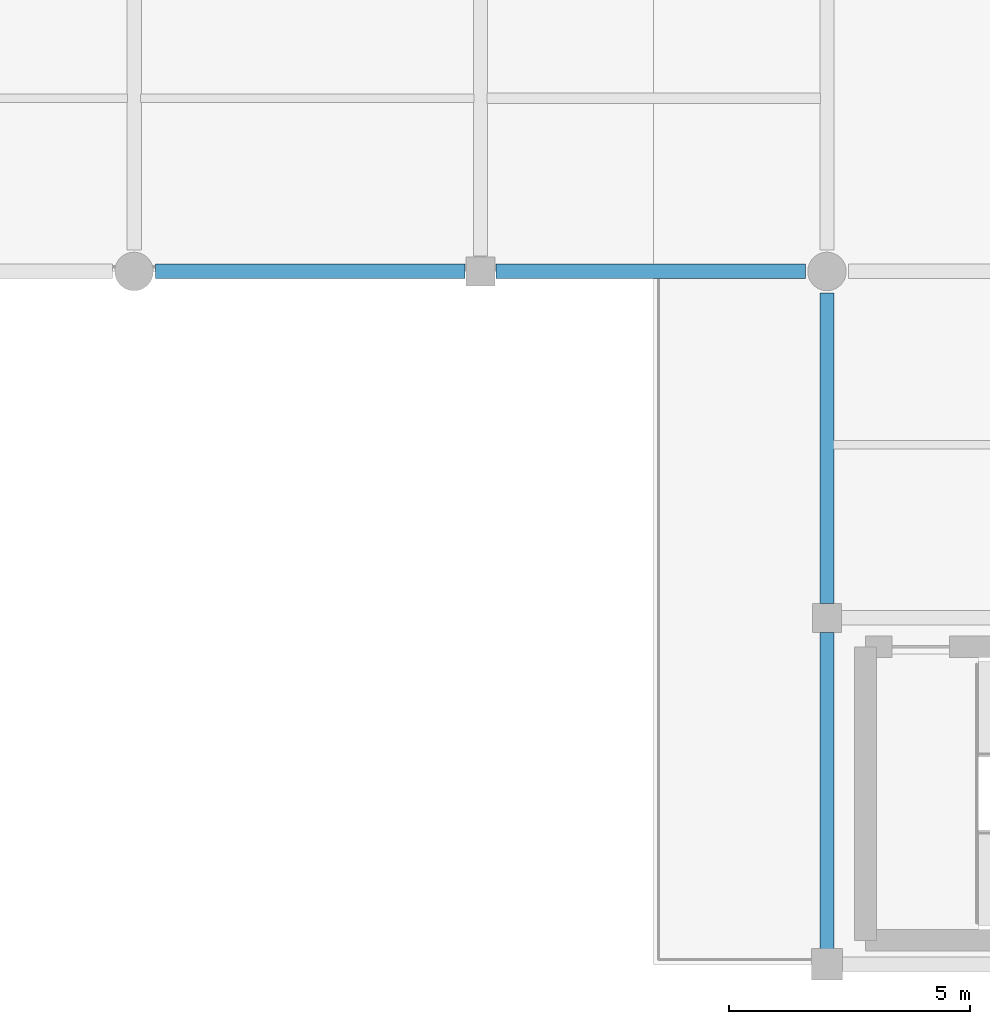
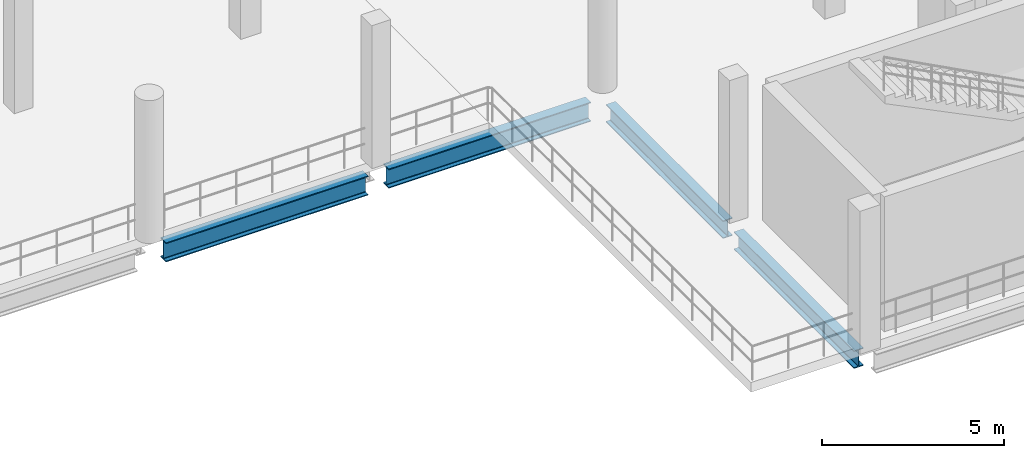
# One storey, part 4 of 105: 4 beams.
"""IFC4 building model written with IfcOpenShell, lengths in metres."""

from ifc_helpers import new_model, si_unit, direction, frame, origin, origin_2d, place, context, subcontext, project, spatial, i_section, extrude, material, material_profile, profile_set, type_object, element, save


model = new_model("IFC4")

# Units and contexts
model_context = context("Model", 3, precision=1e-05, world=origin(), true_north=direction((0.0, 1.0)))
body_context = subcontext(model_context, "Body", "Model", "MODEL_VIEW")
ifc_project = project(units=[si_unit("LENGTHUNIT", "METRE"), si_unit("AREAUNIT", "SQUARE_METRE"), si_unit("VOLUMEUNIT", "CUBIC_METRE"), si_unit("PLANEANGLEUNIT", "RADIAN"), si_unit("MASSUNIT", "GRAM", prefix="KILO")], contexts=[model_context])

# Site, building, storey
site_placement = place(None, origin())
site = spatial("IfcSite", under=ifc_project, at=site_placement, CompositionType="ELEMENT")
building_placement = place(site_placement, origin())
building = spatial("IfcBuilding", under=site, at=building_placement, Name="Qandorah Velis Arena", CompositionType="ELEMENT")
storey_placement = place(building_placement, frame((0.0, 0.0, 13.800048828125)))
storey = spatial("IfcBuildingStorey", under=building, at=storey_placement, Name="L03", CompositionType="ELEMENT", Elevation=13.800048828125)

# Beams
ifc_material = material(Name="Steel S355", Category="steel")
ifc_material_profile_1 = material_profile(ifc_material, i_section(OverallWidth=0.300048828125, OverallDepth=0.60009765625, WebThickness=0.015380859375, FlangeThickness=0.030029296875, FilletRadius=0.027099609375, at=origin_2d()), Name="HEB 600")
ifc_profile_set_1 = profile_set([ifc_material_profile_1], Name="Steel S355")
beam_type_1 = type_object("IfcBeamType", Name="STR-BM-HEB600", PredefinedType="BEAM", material=ifc_profile_set_1)
beam_1_placement = place(storey_placement, frame((28.800048828125, 0.300048828125, -0.6201171875), z_axis=(0.0, 1.0, 0.0), x_axis=(-1.0, 0.0, 0.0)))
element("IfcBeam", 1, at=beam_1_placement, inside=storey, type_object=beam_type_1, Name="Primary floor girder L03 Y-234", PredefinedType="BEAM", context=body_context, shape_type="SweptSolid", body=[
    extrude(i_section(OverallWidth=0.300048828125, OverallDepth=0.60009765625, WebThickness=0.015380859375, FlangeThickness=0.030029296875, FilletRadius=0.027099609375, at=origin_2d()), origin(), (0.0, 0.0, 1.0), 6.599853515625),
])
beam_2_placement = place(storey_placement, frame((28.800048828125, 7.5, -0.6201171875), z_axis=(0.0, 1.0, 0.0), x_axis=(-1.0, 0.0, 0.0)))
element("IfcBeam", 2, at=beam_2_placement, inside=storey, type_object=beam_type_1, Name="Primary floor girder L03 Y-235", PredefinedType="BEAM", context=body_context, shape_type="SweptSolid", body=[
    extrude(i_section(OverallWidth=0.300048828125, OverallDepth=0.60009765625, WebThickness=0.015380859375, FlangeThickness=0.030029296875, FilletRadius=0.027099609375, at=origin_2d()), origin(), (0.0, 0.0, 1.0), 6.449951171875),
])
ifc_material_profile_2 = material_profile(ifc_material, i_section(OverallWidth=0.300048828125, OverallDepth=0.64990234375, WebThickness=0.01611328125, FlangeThickness=0.031005859375, FilletRadius=0.027099609375, at=origin_2d()), Name="HEB 650")
ifc_profile_set_2 = profile_set([ifc_material_profile_2], Name="Steel S355")
beam_type_2 = type_object("IfcBeamType", Name="STR-BM-HEB650", PredefinedType="BEAM", material=ifc_profile_set_2)
beam_3_placement = place(storey_placement, frame((14.85009765625, 14.39990234375, -0.64501953125), z_axis=(1.0, 0.0, 0.0), x_axis=(0.0, 1.0, 0.0)))
element("IfcBeam", 3, at=beam_3_placement, inside=storey, type_object=beam_type_2, Name="Primary floor girder L03 X-027", PredefinedType="BEAM", context=body_context, shape_type="SweptSolid", body=[
    extrude(i_section(OverallWidth=0.300048828125, OverallDepth=0.64990234375, WebThickness=0.01611328125, FlangeThickness=0.031005859375, FilletRadius=0.027099609375, at=origin_2d()), origin(), (0.0, 0.0, 1.0), 6.4248046875),
])
beam_4_placement = place(storey_placement, frame((21.925048828125, 14.39990234375, -0.64501953125), z_axis=(1.0, 0.0, 0.0), x_axis=(0.0, 1.0, 0.0)))
element("IfcBeam", 4, at=beam_4_placement, inside=storey, type_object=beam_type_2, Name="Primary floor girder L03 X-028", PredefinedType="BEAM", context=body_context, shape_type="SweptSolid", body=[
    extrude(i_section(OverallWidth=0.300048828125, OverallDepth=0.64990234375, WebThickness=0.01611328125, FlangeThickness=0.031005859375, FilletRadius=0.027099609375, at=origin_2d()), origin(), (0.0, 0.0, 1.0), 6.425048828125),
])

save(model, "model.ifc")
